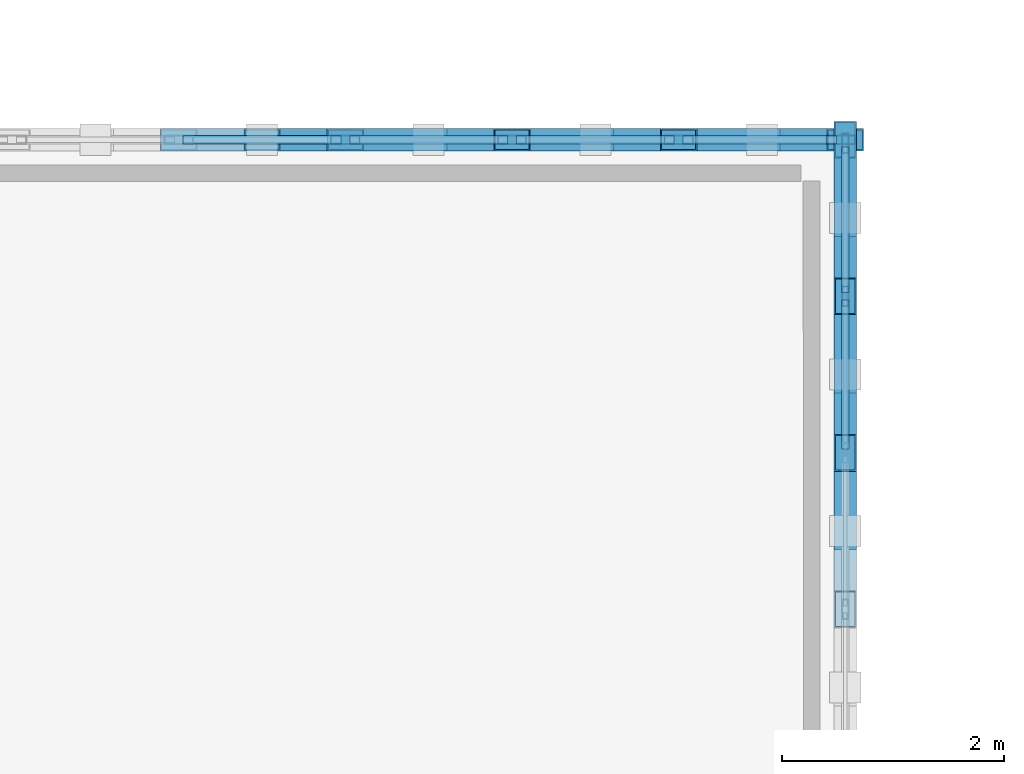
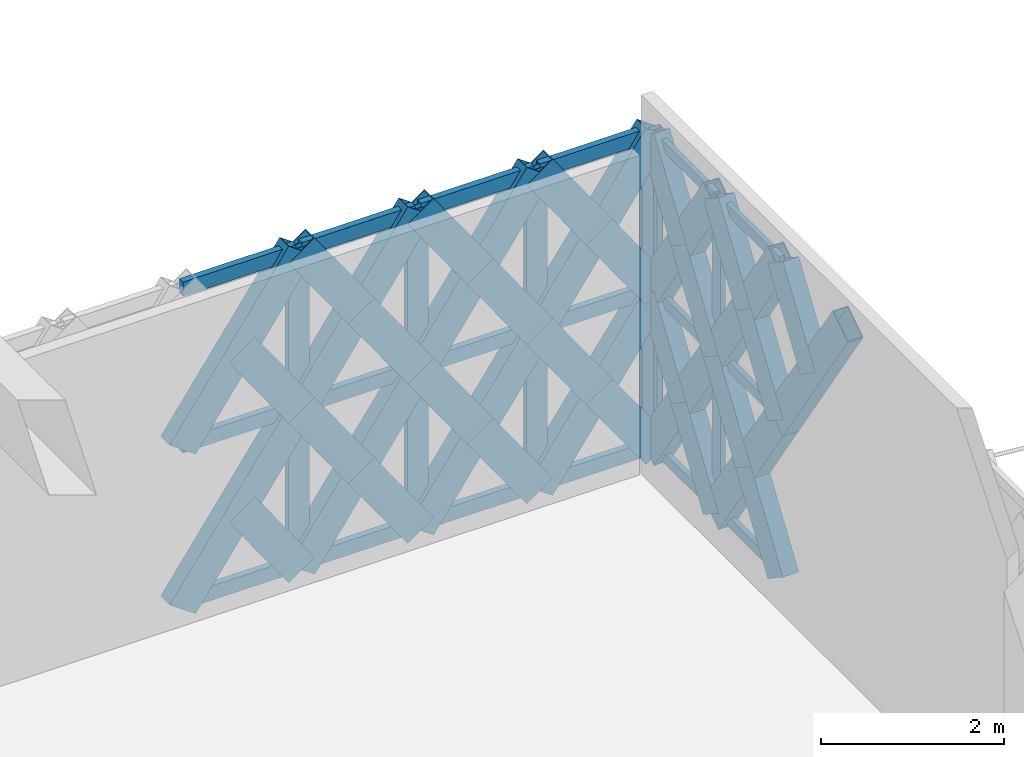
# One storey, part 75 of 140: 60 members, 2 elements without a shape of their own.
"""IFC4 building model written with IfcOpenShell, lengths in metres."""

from ifc_helpers import new_model, si_unit, direction, frame, origin, origin_2d, place, context, subcontext, project, spatial, hollow_rectangle, extrude, material, material_profile, profile_set, type_object, element, aggregate, save


model = new_model("IFC4")

# Units and contexts
model_context = context("Model", 3, precision=1e-05, world=origin(), true_north=direction((0.0, 1.0)))
body_context = subcontext(model_context, "Body", "Model", "MODEL_VIEW")
ifc_project = project(units=[si_unit("LENGTHUNIT", "METRE"), si_unit("AREAUNIT", "SQUARE_METRE"), si_unit("VOLUMEUNIT", "CUBIC_METRE"), si_unit("PLANEANGLEUNIT", "RADIAN"), si_unit("MASSUNIT", "GRAM", prefix="KILO")], contexts=[model_context])

# Site, building, storey
site_placement = place(None, origin())
site = spatial("IfcSite", under=ifc_project, at=site_placement, CompositionType="ELEMENT")
building_placement = place(site_placement, origin())
building = spatial("IfcBuilding", under=site, at=building_placement, Name="Haizhuo Lancet Aquarium", CompositionType="ELEMENT")
storey_placement = place(building_placement, origin())
storey = spatial("IfcBuildingStorey", under=building, at=storey_placement, Name="L00", CompositionType="ELEMENT", Elevation=0.0)

# Curtain wall, members
ifc_material_1 = material(Name="Aluminium 6063-T6", Category="aluminium")
curtain_wall_type_1 = type_object("IfcCurtainWallType", Name="CWD-8460x4200", PredefinedType="NOTDEFINED", material=ifc_material_1)
curtain_wall_1_placement = place(storey_placement, origin())
curtain_wall_1 = element("IfcCurtainWall", 1, at=curtain_wall_1_placement, inside=storey, type_object=curtain_wall_type_1, Name="L00 curtain wall CW-V5-L00-121", PredefinedType="NOTDEFINED")
ifc_material_profile_1 = material_profile(ifc_material_1, hollow_rectangle(XDim=0.06494140625, YDim=0.179931640625, WallThickness=0.00390625, at=origin_2d()), Name="ALU-M 65x180x4")
ifc_profile_set_1 = profile_set([ifc_material_profile_1], Name="Aluminium 6063-T6")
member_type_1 = type_object("IfcMemberType", Name="CW-MUL-1", PredefinedType="MULLION", material=ifc_profile_set_1)
member_1_placement = place(storey_placement, frame((27.0, 53.968017578125, 0.0), z_axis=(0.0, 0.0, 1.0), x_axis=(1.0, 0.0, 0.0)))
member_1 = element("IfcMember", 2, at=member_1_placement, type_object=member_type_1, Name="CWD-84x42 mullion 1", PredefinedType="MULLION", context=body_context, shape_type="SweptSolid", body=[
    extrude(hollow_rectangle(XDim=0.06494140625, YDim=0.179931640625, WallThickness=0.00390625, at=origin_2d()), origin(), (0.0, 0.0, 1.0), 4.205078125),
])
member_2_placement = place(storey_placement, frame((27.0, 52.591064453125, 0.0), z_axis=(0.0, 0.0, 1.0), x_axis=(1.0, 0.0, 0.0)))
member_2 = element("IfcMember", 3, at=member_2_placement, type_object=member_type_1, Name="CWD-84x42 mullion 2", PredefinedType="MULLION", context=body_context, shape_type="SweptSolid", body=[
    extrude(hollow_rectangle(XDim=0.06494140625, YDim=0.179931640625, WallThickness=0.00390625, at=origin_2d()), origin(), (0.0, 0.0, 1.0), 4.205078125),
])

curtain_wall_type_2 = type_object("IfcCurtainWallType", Name="CWD-9000x4260", PredefinedType="NOTDEFINED", material=ifc_material_1)
curtain_wall_2_placement = place(storey_placement, origin())
curtain_wall_2 = element("IfcCurtainWall", 4, at=curtain_wall_2_placement, inside=storey, type_object=curtain_wall_type_2, Name="L00 curtain wall CW-V5-L00-120", PredefinedType="NOTDEFINED")
ifc_material_profile_2 = material_profile(ifc_material_1, hollow_rectangle(XDim=0.080078125, YDim=0.260009765625, WallThickness=0.0048828125, at=origin_2d()), Name="ALU-M 80x260x5")
ifc_profile_set_2 = profile_set([ifc_material_profile_2], Name="Aluminium 6063-T6")
member_type_2 = type_object("IfcMemberType", Name="CW-MUL-3", PredefinedType="MULLION", material=ifc_profile_set_2)
member_3_placement = place(storey_placement, frame((22.5, 54.0, 0.0), z_axis=(0.0, 0.0, 1.0), x_axis=(0.0, 1.0, 0.0)))
member_3 = element("IfcMember", 5, at=member_3_placement, type_object=member_type_2, Name="CWD-90x42 mullion 4", PredefinedType="MULLION", context=body_context, shape_type="SweptSolid", body=[
    extrude(hollow_rectangle(XDim=0.080078125, YDim=0.260009765625, WallThickness=0.0048828125, at=origin_2d()), origin(), (0.0, 0.0, 1.0), 4.2548828125),
])
member_4_placement = place(storey_placement, frame((24.0, 54.0, 0.0), z_axis=(0.0, 0.0, 1.0), x_axis=(0.0, 1.0, 0.0)))
member_4 = element("IfcMember", 6, at=member_4_placement, type_object=member_type_2, Name="CWD-90x42 mullion 5", PredefinedType="MULLION", context=body_context, shape_type="SweptSolid", body=[
    extrude(hollow_rectangle(XDim=0.080078125, YDim=0.260009765625, WallThickness=0.0048828125, at=origin_2d()), origin(), (0.0, 0.0, 1.0), 4.2548828125),
])
member_5_placement = place(storey_placement, frame((25.5, 54.0, 0.0), z_axis=(0.0, 0.0, 1.0), x_axis=(0.0, 1.0, 0.0)))
member_5 = element("IfcMember", 7, at=member_5_placement, type_object=member_type_2, Name="CWD-90x42 mullion 6", PredefinedType="MULLION", context=body_context, shape_type="SweptSolid", body=[
    extrude(hollow_rectangle(XDim=0.080078125, YDim=0.260009765625, WallThickness=0.0048828125, at=origin_2d()), origin(), (0.0, 0.0, 1.0), 4.2548828125),
])
member_6_placement = place(storey_placement, frame((26.9599609375, 54.0, 0.0), z_axis=(0.0, 0.0, 1.0), x_axis=(0.0, 1.0, 0.0)))
member_6 = element("IfcMember", 8, at=member_6_placement, type_object=member_type_2, Name="CWD-90x42 mullion 7", PredefinedType="MULLION", context=body_context, shape_type="SweptSolid", body=[
    extrude(hollow_rectangle(XDim=0.080078125, YDim=0.260009765625, WallThickness=0.0048828125, at=origin_2d()), origin(), (0.0, 0.0, 1.0), 4.2548828125),
])

# Member
ifc_material_profile_3 = material_profile(ifc_material_1, hollow_rectangle(XDim=0.06494140625, YDim=0.139892578125, WallThickness=0.00390625, at=origin_2d()), Name="ALU-T 65x140x4")
ifc_profile_set_3 = profile_set([ifc_material_profile_3], Name="Aluminium 6063-T6")
member_type_3 = type_object("IfcMemberType", Name="CW-TRN-1", PredefinedType="NOTDEFINED", material=ifc_profile_set_3)
member_7_placement = place(storey_placement, frame((27.0, 53.93505859375, 0.032958984375), z_axis=(0.0, -1.0, 0.0), x_axis=(1.0, 0.0, 0.0)))
member_7 = element("IfcMember", 9, at=member_7_placement, type_object=member_type_3, Name="CWD-84x42 transom 1.1", ObjectType="TRANSOM", PredefinedType="USERDEFINED", context=body_context, shape_type="SweptSolid", body=[
    extrude(hollow_rectangle(XDim=0.06494140625, YDim=0.139892578125, WallThickness=0.00390625, at=origin_2d()), origin(), (0.0, 0.0, 1.0), 1.31201171875),
])

member_8_placement = place(storey_placement, frame((27.0, 53.93505859375, 2.10302734375), z_axis=(0.0, -1.0, 0.0), x_axis=(1.0, 0.0, 0.0)))
member_8 = element("IfcMember", 10, at=member_8_placement, type_object=member_type_3, Name="CWD-84x42 transom 1.2", ObjectType="TRANSOM", PredefinedType="USERDEFINED", context=body_context, shape_type="SweptSolid", body=[
    extrude(hollow_rectangle(XDim=0.06494140625, YDim=0.139892578125, WallThickness=0.00390625, at=origin_2d()), origin(), (0.0, 0.0, 1.0), 1.31201171875),
])

member_9_placement = place(storey_placement, frame((27.0, 53.93505859375, 4.173095703125), z_axis=(0.0, -1.0, 0.0), x_axis=(1.0, 0.0, 0.0)))
member_9 = element("IfcMember", 11, at=member_9_placement, type_object=member_type_3, Name="CWD-84x42 transom 1.3", ObjectType="TRANSOM", PredefinedType="USERDEFINED", context=body_context, shape_type="SweptSolid", body=[
    extrude(hollow_rectangle(XDim=0.06494140625, YDim=0.139892578125, WallThickness=0.00390625, at=origin_2d()), origin(), (0.0, 0.0, 1.0), 1.31201171875),
])

member_10_placement = place(storey_placement, frame((27.0, 52.55810546875, 0.032958984375), z_axis=(0.0, -1.0, 0.0), x_axis=(1.0, 0.0, 0.0)))
member_10 = element("IfcMember", 12, at=member_10_placement, type_object=member_type_3, Name="CWD-84x42 transom 2.1", ObjectType="TRANSOM", PredefinedType="USERDEFINED", context=body_context, shape_type="SweptSolid", body=[
    extrude(hollow_rectangle(XDim=0.06494140625, YDim=0.139892578125, WallThickness=0.00390625, at=origin_2d()), origin(), (0.0, 0.0, 1.0), 1.343994140625),
])

member_11_placement = place(storey_placement, frame((27.0, 52.55810546875, 2.10302734375), z_axis=(0.0, -1.0, 0.0), x_axis=(1.0, 0.0, 0.0)))
member_11 = element("IfcMember", 13, at=member_11_placement, type_object=member_type_3, Name="CWD-84x42 transom 2.2", ObjectType="TRANSOM", PredefinedType="USERDEFINED", context=body_context, shape_type="SweptSolid", body=[
    extrude(hollow_rectangle(XDim=0.06494140625, YDim=0.139892578125, WallThickness=0.00390625, at=origin_2d()), origin(), (0.0, 0.0, 1.0), 1.343994140625),
])

member_12_placement = place(storey_placement, frame((27.0, 52.55810546875, 4.173095703125), z_axis=(0.0, -1.0, 0.0), x_axis=(1.0, 0.0, 0.0)))
member_12 = element("IfcMember", 14, at=member_12_placement, type_object=member_type_3, Name="CWD-84x42 transom 2.3", ObjectType="TRANSOM", PredefinedType="USERDEFINED", context=body_context, shape_type="SweptSolid", body=[
    extrude(hollow_rectangle(XDim=0.06494140625, YDim=0.139892578125, WallThickness=0.00390625, at=origin_2d()), origin(), (0.0, 0.0, 1.0), 1.343994140625),
])

aggregate(curtain_wall_1, [member_1, member_2, member_7, member_8, member_9, member_10, member_11, member_12])

ifc_material_profile_4 = material_profile(ifc_material_1, hollow_rectangle(XDim=0.080078125, YDim=0.18994140625, WallThickness=0.0048828125, at=origin_2d()), Name="ALU-T 80x190x5")
ifc_profile_set_4 = profile_set([ifc_material_profile_4], Name="Aluminium 6063-T6")
member_type_4 = type_object("IfcMemberType", Name="CW-TRN-3", PredefinedType="NOTDEFINED", material=ifc_profile_set_4)
member_13_placement = place(storey_placement, frame((21.0400390625, 54.0, 0.0400390625), z_axis=(1.0, 0.0, 0.0), x_axis=(0.0, 1.0, 0.0)))
member_13 = element("IfcMember", 15, at=member_13_placement, type_object=member_type_4, Name="CWD-90x42 transom 3.1", ObjectType="TRANSOM", PredefinedType="USERDEFINED", context=body_context, shape_type="SweptSolid", body=[
    extrude(hollow_rectangle(XDim=0.080078125, YDim=0.18994140625, WallThickness=0.0048828125, at=origin_2d()), origin(), (0.0, 0.0, 1.0), 1.419921875),
])

member_14_placement = place(storey_placement, frame((21.0400390625, 54.0, 2.126953125), z_axis=(1.0, 0.0, 0.0), x_axis=(0.0, 1.0, 0.0)))
member_14 = element("IfcMember", 16, at=member_14_placement, type_object=member_type_4, Name="CWD-90x42 transom 3.2", ObjectType="TRANSOM", PredefinedType="USERDEFINED", context=body_context, shape_type="SweptSolid", body=[
    extrude(hollow_rectangle(XDim=0.080078125, YDim=0.18994140625, WallThickness=0.0048828125, at=origin_2d()), origin(), (0.0, 0.0, 1.0), 1.419921875),
])

member_15_placement = place(storey_placement, frame((21.0400390625, 54.0, 4.215087890625), z_axis=(1.0, 0.0, 0.0), x_axis=(0.0, 1.0, 0.0)))
member_15 = element("IfcMember", 17, at=member_15_placement, type_object=member_type_4, Name="CWD-90x42 transom 3.3", ObjectType="TRANSOM", PredefinedType="USERDEFINED", context=body_context, shape_type="SweptSolid", body=[
    extrude(hollow_rectangle(XDim=0.080078125, YDim=0.18994140625, WallThickness=0.0048828125, at=origin_2d()), origin(), (0.0, 0.0, 1.0), 1.419921875),
])

member_16_placement = place(storey_placement, frame((22.5400390625, 54.0, 0.0400390625), z_axis=(1.0, 0.0, 0.0), x_axis=(0.0, 1.0, 0.0)))
member_16 = element("IfcMember", 18, at=member_16_placement, type_object=member_type_4, Name="CWD-90x42 transom 4.1", ObjectType="TRANSOM", PredefinedType="USERDEFINED", context=body_context, shape_type="SweptSolid", body=[
    extrude(hollow_rectangle(XDim=0.080078125, YDim=0.18994140625, WallThickness=0.0048828125, at=origin_2d()), origin(), (0.0, 0.0, 1.0), 1.419921875),
])

member_17_placement = place(storey_placement, frame((22.5400390625, 54.0, 2.126953125), z_axis=(1.0, 0.0, 0.0), x_axis=(0.0, 1.0, 0.0)))
member_17 = element("IfcMember", 19, at=member_17_placement, type_object=member_type_4, Name="CWD-90x42 transom 4.2", ObjectType="TRANSOM", PredefinedType="USERDEFINED", context=body_context, shape_type="SweptSolid", body=[
    extrude(hollow_rectangle(XDim=0.080078125, YDim=0.18994140625, WallThickness=0.0048828125, at=origin_2d()), origin(), (0.0, 0.0, 1.0), 1.419921875),
])

member_18_placement = place(storey_placement, frame((22.5400390625, 54.0, 4.215087890625), z_axis=(1.0, 0.0, 0.0), x_axis=(0.0, 1.0, 0.0)))
member_18 = element("IfcMember", 20, at=member_18_placement, type_object=member_type_4, Name="CWD-90x42 transom 4.3", ObjectType="TRANSOM", PredefinedType="USERDEFINED", context=body_context, shape_type="SweptSolid", body=[
    extrude(hollow_rectangle(XDim=0.080078125, YDim=0.18994140625, WallThickness=0.0048828125, at=origin_2d()), origin(), (0.0, 0.0, 1.0), 1.419921875),
])

member_19_placement = place(storey_placement, frame((24.0400390625, 54.0, 0.0400390625), z_axis=(1.0, 0.0, 0.0), x_axis=(0.0, 1.0, 0.0)))
member_19 = element("IfcMember", 21, at=member_19_placement, type_object=member_type_4, Name="CWD-90x42 transom 5.1", ObjectType="TRANSOM", PredefinedType="USERDEFINED", context=body_context, shape_type="SweptSolid", body=[
    extrude(hollow_rectangle(XDim=0.080078125, YDim=0.18994140625, WallThickness=0.0048828125, at=origin_2d()), origin(), (0.0, 0.0, 1.0), 1.419921875),
])

member_20_placement = place(storey_placement, frame((24.0400390625, 54.0, 2.126953125), z_axis=(1.0, 0.0, 0.0), x_axis=(0.0, 1.0, 0.0)))
member_20 = element("IfcMember", 22, at=member_20_placement, type_object=member_type_4, Name="CWD-90x42 transom 5.2", ObjectType="TRANSOM", PredefinedType="USERDEFINED", context=body_context, shape_type="SweptSolid", body=[
    extrude(hollow_rectangle(XDim=0.080078125, YDim=0.18994140625, WallThickness=0.0048828125, at=origin_2d()), origin(), (0.0, 0.0, 1.0), 1.419921875),
])

member_21_placement = place(storey_placement, frame((24.0400390625, 54.0, 4.215087890625), z_axis=(1.0, 0.0, 0.0), x_axis=(0.0, 1.0, 0.0)))
member_21 = element("IfcMember", 23, at=member_21_placement, type_object=member_type_4, Name="CWD-90x42 transom 5.3", ObjectType="TRANSOM", PredefinedType="USERDEFINED", context=body_context, shape_type="SweptSolid", body=[
    extrude(hollow_rectangle(XDim=0.080078125, YDim=0.18994140625, WallThickness=0.0048828125, at=origin_2d()), origin(), (0.0, 0.0, 1.0), 1.419921875),
])

member_22_placement = place(storey_placement, frame((25.5400390625, 54.0, 0.0400390625), z_axis=(1.0, 0.0, 0.0), x_axis=(0.0, 1.0, 0.0)))
member_22 = element("IfcMember", 24, at=member_22_placement, type_object=member_type_4, Name="CWD-90x42 transom 6.1", ObjectType="TRANSOM", PredefinedType="USERDEFINED", context=body_context, shape_type="SweptSolid", body=[
    extrude(hollow_rectangle(XDim=0.080078125, YDim=0.18994140625, WallThickness=0.0048828125, at=origin_2d()), origin(), (0.0, 0.0, 1.0), 1.3798828125),
])

member_23_placement = place(storey_placement, frame((25.5400390625, 54.0, 2.126953125), z_axis=(1.0, 0.0, 0.0), x_axis=(0.0, 1.0, 0.0)))
member_23 = element("IfcMember", 25, at=member_23_placement, type_object=member_type_4, Name="CWD-90x42 transom 6.2", ObjectType="TRANSOM", PredefinedType="USERDEFINED", context=body_context, shape_type="SweptSolid", body=[
    extrude(hollow_rectangle(XDim=0.080078125, YDim=0.18994140625, WallThickness=0.0048828125, at=origin_2d()), origin(), (0.0, 0.0, 1.0), 1.3798828125),
])

member_24_placement = place(storey_placement, frame((25.5400390625, 54.0, 4.215087890625), z_axis=(1.0, 0.0, 0.0), x_axis=(0.0, 1.0, 0.0)))
member_24 = element("IfcMember", 26, at=member_24_placement, type_object=member_type_4, Name="CWD-90x42 transom 6.3", ObjectType="TRANSOM", PredefinedType="USERDEFINED", context=body_context, shape_type="SweptSolid", body=[
    extrude(hollow_rectangle(XDim=0.080078125, YDim=0.18994140625, WallThickness=0.0048828125, at=origin_2d()), origin(), (0.0, 0.0, 1.0), 1.3798828125),
])

aggregate(curtain_wall_2, [member_3, member_4, member_5, member_6, member_13, member_14, member_15, member_16, member_17, member_18, member_19, member_20, member_21, member_22, member_23, member_24])

# Members
ifc_material_2 = material(Name="Steel S355", Category="steel")
ifc_material_profile_5 = material_profile(ifc_material_2, hollow_rectangle(XDim=0.199951171875, YDim=0.39990234375, WallThickness=0.011962890625, at=origin_2d()), Name="RHS 200x400x12")
ifc_profile_set_5 = profile_set([ifc_material_profile_5], Name="Steel S355")
member_type_5 = type_object("IfcMemberType", Name="MEM-LB-RHS200x400", PredefinedType="BRACE", material=ifc_profile_set_5)
member_25_placement = place(storey_placement, frame((21.0, 54.0, 0.0), z_axis=(0.576329592678, 0.0, 0.817217352118), x_axis=(0.0, 1.0, 0.0)))
element("IfcMember", 27, at=member_25_placement, inside=storey, type_object=member_type_5, Name="Gothic lancet continuous diagonal brace CW-V5-L00-120 5A", PredefinedType="BRACE", context=body_context, shape_type="SweptSolid", body=[
    extrude(hollow_rectangle(XDim=0.199951171875, YDim=0.39990234375, WallThickness=0.011962890625, at=origin_2d()), origin(), (0.0, 0.0, 1.0), 2.602783203125),
])
member_26_placement = place(storey_placement, frame((22.5, 54.0, 0.0), z_axis=(-0.576506354413, 0.0, 0.817092665076), x_axis=(0.0, -1.0, 0.0)))
element("IfcMember", 28, at=member_26_placement, inside=storey, type_object=member_type_5, Name="Gothic lancet split diagonal brace CW-V5-L00-120 5B1", PredefinedType="BRACE", context=body_context, shape_type="SweptSolid", body=[
    extrude(hollow_rectangle(XDim=0.199951171875, YDim=0.39990234375, WallThickness=0.011962890625, at=origin_2d()), origin(), (0.0, 0.0, 1.0), 1.301025390625),
])
member_27_placement = place(storey_placement, frame((21.0, 54.0, 2.126953125), z_axis=(0.57615291237, 0.0, 0.817341924514), x_axis=(0.0, 1.0, 0.0)))
element("IfcMember", 29, at=member_27_placement, inside=storey, type_object=member_type_5, Name="Gothic lancet continuous diagonal brace CW-V5-L00-120 6A", PredefinedType="BRACE", context=body_context, shape_type="SweptSolid", body=[
    extrude(hollow_rectangle(XDim=0.199951171875, YDim=0.39990234375, WallThickness=0.011962890625, at=origin_2d()), origin(), (0.0, 0.0, 1.0), 2.603515625),
])
member_28_placement = place(storey_placement, frame((22.5, 54.0, 2.126953125), z_axis=(-0.57615291237, 0.0, 0.817341924514), x_axis=(0.0, -1.0, 0.0)))
element("IfcMember", 30, at=member_28_placement, inside=storey, type_object=member_type_5, Name="Gothic lancet split diagonal brace CW-V5-L00-120 6B1", PredefinedType="BRACE", context=body_context, shape_type="SweptSolid", body=[
    extrude(hollow_rectangle(XDim=0.199951171875, YDim=0.39990234375, WallThickness=0.011962890625, at=origin_2d()), origin(), (0.0, 0.0, 1.0), 1.3017578125),
])
member_29_placement = place(storey_placement, frame((22.5, 54.0, 0.0), z_axis=(0.576329592678, 0.0, 0.817217352118), x_axis=(0.0, 1.0, 0.0)))
element("IfcMember", 31, at=member_29_placement, inside=storey, type_object=member_type_5, Name="Gothic lancet continuous diagonal brace CW-V5-L00-120 7A", PredefinedType="BRACE", context=body_context, shape_type="SweptSolid", body=[
    extrude(hollow_rectangle(XDim=0.199951171875, YDim=0.39990234375, WallThickness=0.011962890625, at=origin_2d()), origin(), (0.0, 0.0, 1.0), 2.602783203125),
])
member_30_placement = place(storey_placement, frame((24.0, 54.0, 0.0), z_axis=(-0.576506354413, 0.0, 0.817092665076), x_axis=(0.0, -1.0, 0.0)))
element("IfcMember", 32, at=member_30_placement, inside=storey, type_object=member_type_5, Name="Gothic lancet split diagonal brace CW-V5-L00-120 7B1", PredefinedType="BRACE", context=body_context, shape_type="SweptSolid", body=[
    extrude(hollow_rectangle(XDim=0.199951171875, YDim=0.39990234375, WallThickness=0.011962890625, at=origin_2d()), origin(), (0.0, 0.0, 1.0), 1.301025390625),
])
member_31_placement = place(storey_placement, frame((23.25, 54.0, 1.06298828125), z_axis=(-0.57615291237, 0.0, 0.817341924514), x_axis=(0.0, -1.0, 0.0)))
element("IfcMember", 33, at=member_31_placement, inside=storey, type_object=member_type_5, Name="Gothic lancet split diagonal brace CW-V5-L00-120 7B2", PredefinedType="BRACE", context=body_context, shape_type="SweptSolid", body=[
    extrude(hollow_rectangle(XDim=0.199951171875, YDim=0.39990234375, WallThickness=0.011962890625, at=origin_2d()), origin(), (0.0, 0.0, 1.0), 1.3017578125),
])
member_32_placement = place(storey_placement, frame((22.5, 54.0, 2.126953125), z_axis=(0.57615291237, 0.0, 0.817341924514), x_axis=(0.0, 1.0, 0.0)))
element("IfcMember", 34, at=member_32_placement, inside=storey, type_object=member_type_5, Name="Gothic lancet continuous diagonal brace CW-V5-L00-120 8A", PredefinedType="BRACE", context=body_context, shape_type="SweptSolid", body=[
    extrude(hollow_rectangle(XDim=0.199951171875, YDim=0.39990234375, WallThickness=0.011962890625, at=origin_2d()), origin(), (0.0, 0.0, 1.0), 2.603515625),
])
for number, where, z_axis, x_axis, name in (
    (35, (24.0, 54.0, 2.126953125), (-0.57615291237, 0.0, 0.817341924514), (0.0, -1.0, 0.0), "Gothic lancet split diagonal brace CW-V5-L00-120 8B1"),
    (36, (23.25, 54.0, 3.19091796875), (-0.57615291237, 0.0, 0.817341924514), (0.0, -1.0, 0.0), "Gothic lancet split diagonal brace CW-V5-L00-120 8B2"),
):
    element("IfcMember", number, at=place(storey_placement, frame(where, z_axis=z_axis, x_axis=x_axis)), inside=storey, type_object=member_type_5, Name=name, PredefinedType="BRACE", context=body_context, shape_type="SweptSolid", body=[
        extrude(hollow_rectangle(XDim=0.199951171875, YDim=0.39990234375, WallThickness=0.011962890625, at=origin_2d()), origin(), (0.0, 0.0, 1.0), 1.3017578125),
    ])
member_33_placement = place(storey_placement, frame((24.0, 54.0, 0.0), z_axis=(0.576329592678, 0.0, 0.817217352118), x_axis=(0.0, 1.0, 0.0)))
element("IfcMember", 37, at=member_33_placement, inside=storey, type_object=member_type_5, Name="Gothic lancet continuous diagonal brace CW-V5-L00-120 9A", PredefinedType="BRACE", context=body_context, shape_type="SweptSolid", body=[
    extrude(hollow_rectangle(XDim=0.199951171875, YDim=0.39990234375, WallThickness=0.011962890625, at=origin_2d()), origin(), (0.0, 0.0, 1.0), 2.602783203125),
])
member_34_placement = place(storey_placement, frame((25.5, 54.0, 0.0), z_axis=(-0.576506354413, 0.0, 0.817092665076), x_axis=(0.0, -1.0, 0.0)))
element("IfcMember", 38, at=member_34_placement, inside=storey, type_object=member_type_5, Name="Gothic lancet split diagonal brace CW-V5-L00-120 9B1", PredefinedType="BRACE", context=body_context, shape_type="SweptSolid", body=[
    extrude(hollow_rectangle(XDim=0.199951171875, YDim=0.39990234375, WallThickness=0.011962890625, at=origin_2d()), origin(), (0.0, 0.0, 1.0), 1.301025390625),
])
member_35_placement = place(storey_placement, frame((24.75, 54.0, 1.06298828125), z_axis=(-0.57615291237, 0.0, 0.817341924514), x_axis=(0.0, -1.0, 0.0)))
element("IfcMember", 39, at=member_35_placement, inside=storey, type_object=member_type_5, Name="Gothic lancet split diagonal brace CW-V5-L00-120 9B2", PredefinedType="BRACE", context=body_context, shape_type="SweptSolid", body=[
    extrude(hollow_rectangle(XDim=0.199951171875, YDim=0.39990234375, WallThickness=0.011962890625, at=origin_2d()), origin(), (0.0, 0.0, 1.0), 1.3017578125),
])
member_36_placement = place(storey_placement, frame((24.0, 54.0, 2.126953125), z_axis=(0.57615291237, 0.0, 0.817341924514), x_axis=(0.0, 1.0, 0.0)))
element("IfcMember", 40, at=member_36_placement, inside=storey, type_object=member_type_5, Name="Gothic lancet continuous diagonal brace CW-V5-L00-120 10A", PredefinedType="BRACE", context=body_context, shape_type="SweptSolid", body=[
    extrude(hollow_rectangle(XDim=0.199951171875, YDim=0.39990234375, WallThickness=0.011962890625, at=origin_2d()), origin(), (0.0, 0.0, 1.0), 2.603515625),
])
for number, where, z_axis, x_axis, name in (
    (41, (25.5, 54.0, 2.126953125), (-0.57615291237, 0.0, 0.817341924514), (0.0, -1.0, 0.0), "Gothic lancet split diagonal brace CW-V5-L00-120 10B1"),
    (42, (24.75, 54.0, 3.19091796875), (-0.57615291237, 0.0, 0.817341924514), (0.0, -1.0, 0.0), "Gothic lancet split diagonal brace CW-V5-L00-120 10B2"),
):
    element("IfcMember", number, at=place(storey_placement, frame(where, z_axis=z_axis, x_axis=x_axis)), inside=storey, type_object=member_type_5, Name=name, PredefinedType="BRACE", context=body_context, shape_type="SweptSolid", body=[
        extrude(hollow_rectangle(XDim=0.199951171875, YDim=0.39990234375, WallThickness=0.011962890625, at=origin_2d()), origin(), (0.0, 0.0, 1.0), 1.3017578125),
    ])
member_37_placement = place(storey_placement, frame((25.5, 54.0, 0.0), z_axis=(0.576329592678, 0.0, 0.817217352118), x_axis=(0.0, 1.0, 0.0)))
element("IfcMember", 43, at=member_37_placement, inside=storey, type_object=member_type_5, Name="Gothic lancet continuous diagonal brace CW-V5-L00-120 11A", PredefinedType="BRACE", context=body_context, shape_type="SweptSolid", body=[
    extrude(hollow_rectangle(XDim=0.199951171875, YDim=0.39990234375, WallThickness=0.011962890625, at=origin_2d()), origin(), (0.0, 0.0, 1.0), 2.602783203125),
])
member_38_placement = place(storey_placement, frame((27.0, 54.0, 0.0), z_axis=(-0.576506354413, 0.0, 0.817092665076), x_axis=(0.0, -1.0, 0.0)))
element("IfcMember", 44, at=member_38_placement, inside=storey, type_object=member_type_5, Name="Gothic lancet split diagonal brace CW-V5-L00-120 11B1", PredefinedType="BRACE", context=body_context, shape_type="SweptSolid", body=[
    extrude(hollow_rectangle(XDim=0.199951171875, YDim=0.39990234375, WallThickness=0.011962890625, at=origin_2d()), origin(), (0.0, 0.0, 1.0), 1.301025390625),
])
member_39_placement = place(storey_placement, frame((26.25, 54.0, 1.06298828125), z_axis=(-0.57615291237, 0.0, 0.817341924514), x_axis=(0.0, -1.0, 0.0)))
element("IfcMember", 45, at=member_39_placement, inside=storey, type_object=member_type_5, Name="Gothic lancet split diagonal brace CW-V5-L00-120 11B2", PredefinedType="BRACE", context=body_context, shape_type="SweptSolid", body=[
    extrude(hollow_rectangle(XDim=0.199951171875, YDim=0.39990234375, WallThickness=0.011962890625, at=origin_2d()), origin(), (0.0, 0.0, 1.0), 1.3017578125),
])
member_40_placement = place(storey_placement, frame((25.5, 54.0, 2.126953125), z_axis=(0.57615291237, 0.0, 0.817341924514), x_axis=(0.0, 1.0, 0.0)))
element("IfcMember", 46, at=member_40_placement, inside=storey, type_object=member_type_5, Name="Gothic lancet continuous diagonal brace CW-V5-L00-120 12A", PredefinedType="BRACE", context=body_context, shape_type="SweptSolid", body=[
    extrude(hollow_rectangle(XDim=0.199951171875, YDim=0.39990234375, WallThickness=0.011962890625, at=origin_2d()), origin(), (0.0, 0.0, 1.0), 2.603515625),
])
for number, where, z_axis, x_axis, name in (
    (47, (27.0, 54.0, 2.126953125), (-0.57615291237, 0.0, 0.817341924514), (0.0, -1.0, 0.0), "Gothic lancet split diagonal brace CW-V5-L00-120 12B1"),
    (48, (26.25, 54.0, 3.19091796875), (-0.57615291237, 0.0, 0.817341924514), (0.0, -1.0, 0.0), "Gothic lancet split diagonal brace CW-V5-L00-120 12B2"),
):
    element("IfcMember", number, at=place(storey_placement, frame(where, z_axis=z_axis, x_axis=x_axis)), inside=storey, type_object=member_type_5, Name=name, PredefinedType="BRACE", context=body_context, shape_type="SweptSolid", body=[
        extrude(hollow_rectangle(XDim=0.199951171875, YDim=0.39990234375, WallThickness=0.011962890625, at=origin_2d()), origin(), (0.0, 0.0, 1.0), 1.3017578125),
    ])
member_41_placement = place(storey_placement, frame((27.0, 54.0, 0.0), z_axis=(0.0, -0.556590590257, 0.830786925052), x_axis=(1.0, 0.0, 0.0)))
element("IfcMember", 49, at=member_41_placement, inside=storey, type_object=member_type_5, Name="Gothic lancet continuous diagonal brace CW-V5-L00-121 1A", PredefinedType="BRACE", context=body_context, shape_type="SweptSolid", body=[
    extrude(hollow_rectangle(XDim=0.199951171875, YDim=0.39990234375, WallThickness=0.011962890625, at=origin_2d()), origin(), (0.0, 0.0, 1.0), 2.53125),
])
member_42_placement = place(storey_placement, frame((27.0, 52.591064453125, 0.0), z_axis=(0.0, 0.556611893252, 0.830772652589), x_axis=(-1.0, 0.0, 0.0)))
element("IfcMember", 50, at=member_42_placement, inside=storey, type_object=member_type_5, Name="Gothic lancet split diagonal brace CW-V5-L00-121 1B1", PredefinedType="BRACE", context=body_context, shape_type="SweptSolid", body=[
    extrude(hollow_rectangle(XDim=0.199951171875, YDim=0.39990234375, WallThickness=0.011962890625, at=origin_2d()), origin(), (0.0, 0.0, 1.0), 1.266357421875),
])
member_43_placement = place(storey_placement, frame((27.0, 53.2958984375, 1.052001953125), z_axis=(0.0, 0.556569266369, 0.83080121072), x_axis=(-1.0, 0.0, 0.0)))
element("IfcMember", 51, at=member_43_placement, inside=storey, type_object=member_type_5, Name="Gothic lancet split diagonal brace CW-V5-L00-121 1B2", PredefinedType="BRACE", context=body_context, shape_type="SweptSolid", body=[
    extrude(hollow_rectangle(XDim=0.199951171875, YDim=0.39990234375, WallThickness=0.011962890625, at=origin_2d()), origin(), (0.0, 0.0, 1.0), 1.26513671875),
])
member_44_placement = place(storey_placement, frame((27.0, 54.0, 2.10302734375), z_axis=(0.0, -0.556769024518, 0.830667354202), x_axis=(1.0, 0.0, 0.0)))
element("IfcMember", 52, at=member_44_placement, inside=storey, type_object=member_type_5, Name="Gothic lancet continuous diagonal brace CW-V5-L00-121 2A", PredefinedType="BRACE", context=body_context, shape_type="SweptSolid", body=[
    extrude(hollow_rectangle(XDim=0.199951171875, YDim=0.39990234375, WallThickness=0.011962890625, at=origin_2d()), origin(), (0.0, 0.0, 1.0), 2.530517578125),
])
member_45_placement = place(storey_placement, frame((27.0, 52.591064453125, 2.10302734375), z_axis=(0.0, 0.55696868612, 0.830533492812), x_axis=(-1.0, 0.0, 0.0)))
element("IfcMember", 53, at=member_45_placement, inside=storey, type_object=member_type_5, Name="Gothic lancet split diagonal brace CW-V5-L00-121 2B1", PredefinedType="BRACE", context=body_context, shape_type="SweptSolid", body=[
    extrude(hollow_rectangle(XDim=0.199951171875, YDim=0.39990234375, WallThickness=0.011962890625, at=origin_2d()), origin(), (0.0, 0.0, 1.0), 1.265380859375),
])
member_46_placement = place(storey_placement, frame((27.0, 53.2958984375, 3.154052734375), z_axis=(0.0, 0.556569266369, 0.83080121072), x_axis=(-1.0, 0.0, 0.0)))
element("IfcMember", 54, at=member_46_placement, inside=storey, type_object=member_type_5, Name="Gothic lancet split diagonal brace CW-V5-L00-121 2B2", PredefinedType="BRACE", context=body_context, shape_type="SweptSolid", body=[
    extrude(hollow_rectangle(XDim=0.199951171875, YDim=0.39990234375, WallThickness=0.011962890625, at=origin_2d()), origin(), (0.0, 0.0, 1.0), 1.26513671875),
])
member_47_placement = place(storey_placement, frame((27.0, 52.591064453125, 0.0), z_axis=(0.0, -0.55665715268, 0.830742327302), x_axis=(1.0, 0.0, 0.0)))
element("IfcMember", 55, at=member_47_placement, inside=storey, type_object=member_type_5, Name="Gothic lancet continuous diagonal brace CW-V5-L00-121 3A", PredefinedType="BRACE", context=body_context, shape_type="SweptSolid", body=[
    extrude(hollow_rectangle(XDim=0.199951171875, YDim=0.39990234375, WallThickness=0.011962890625, at=origin_2d()), origin(), (0.0, 0.0, 1.0), 2.531494140625),
])
member_48_placement = place(storey_placement, frame((27.0, 51.181884765625, 0.0), z_axis=(0.0, 0.556212499697, 0.831040104436), x_axis=(-1.0, 0.0, 0.0)))
element("IfcMember", 56, at=member_48_placement, inside=storey, type_object=member_type_5, Name="Gothic lancet split diagonal brace CW-V5-L00-121 3B1", PredefinedType="BRACE", context=body_context, shape_type="SweptSolid", body=[
    extrude(hollow_rectangle(XDim=0.199951171875, YDim=0.39990234375, WallThickness=0.011962890625, at=origin_2d()), origin(), (0.0, 0.0, 1.0), 1.265869140625),
])
member_49_placement = place(storey_placement, frame((27.0, 51.885986328125, 1.052001953125), z_axis=(0.0, 0.557101740231, 0.830444249201), x_axis=(-1.0, 0.0, 0.0)))
element("IfcMember", 57, at=member_49_placement, inside=storey, type_object=member_type_5, Name="Gothic lancet split diagonal brace CW-V5-L00-121 3B2", PredefinedType="BRACE", context=body_context, shape_type="SweptSolid", body=[
    extrude(hollow_rectangle(XDim=0.199951171875, YDim=0.39990234375, WallThickness=0.011962890625, at=origin_2d()), origin(), (0.0, 0.0, 1.0), 1.265625),
])
member_50_placement = place(storey_placement, frame((27.0, 52.591064453125, 2.10302734375), z_axis=(0.0, -0.556835589112, 0.830622734278), x_axis=(1.0, 0.0, 0.0)))
element("IfcMember", 58, at=member_50_placement, inside=storey, type_object=member_type_5, Name="Gothic lancet continuous diagonal brace CW-V5-L00-121 4A", PredefinedType="BRACE", context=body_context, shape_type="SweptSolid", body=[
    extrude(hollow_rectangle(XDim=0.199951171875, YDim=0.39990234375, WallThickness=0.011962890625, at=origin_2d()), origin(), (0.0, 0.0, 1.0), 2.53076171875),
])
member_51_placement = place(storey_placement, frame((27.0, 51.181884765625, 2.10302734375), z_axis=(0.0, 0.556569266369, 0.83080121072), x_axis=(-1.0, 0.0, 0.0)))
element("IfcMember", 59, at=member_51_placement, inside=storey, type_object=member_type_5, Name="Gothic lancet split diagonal brace CW-V5-L00-121 4B1", PredefinedType="BRACE", context=body_context, shape_type="SweptSolid", body=[
    extrude(hollow_rectangle(XDim=0.199951171875, YDim=0.39990234375, WallThickness=0.011962890625, at=origin_2d()), origin(), (0.0, 0.0, 1.0), 1.26513671875),
])
member_52_placement = place(storey_placement, frame((27.0, 51.885986328125, 3.154052734375), z_axis=(0.0, 0.557101740231, 0.830444249201), x_axis=(-1.0, 0.0, 0.0)))
element("IfcMember", 60, at=member_52_placement, inside=storey, type_object=member_type_5, Name="Gothic lancet split diagonal brace CW-V5-L00-121 4B2", PredefinedType="BRACE", context=body_context, shape_type="SweptSolid", body=[
    extrude(hollow_rectangle(XDim=0.199951171875, YDim=0.39990234375, WallThickness=0.011962890625, at=origin_2d()), origin(), (0.0, 0.0, 1.0), 1.265625),
])
member_53_placement = place(storey_placement, frame((27.0, 51.181884765625, 2.10302734375), z_axis=(0.0, -0.556769024518, 0.830667354202), x_axis=(1.0, 0.0, 0.0)))
element("IfcMember", 61, at=member_53_placement, inside=storey, type_object=member_type_5, Name="Gothic lancet continuous diagonal brace CW-V5-L00-121 6A", PredefinedType="BRACE", context=body_context, shape_type="SweptSolid", body=[
    extrude(hollow_rectangle(XDim=0.199951171875, YDim=0.39990234375, WallThickness=0.011962890625, at=origin_2d()), origin(), (0.0, 0.0, 1.0), 2.530517578125),
])
member_54_placement = place(storey_placement, frame((27.0, 50.47802734375, 3.154052734375), z_axis=(0.0, 0.556436040618, 0.830890445668), x_axis=(-1.0, 0.0, 0.0)))
element("IfcMember", 62, at=member_54_placement, inside=storey, type_object=member_type_5, Name="Gothic lancet split diagonal brace CW-V5-L00-121 6B2", PredefinedType="BRACE", context=body_context, shape_type="SweptSolid", body=[
    extrude(hollow_rectangle(XDim=0.199951171875, YDim=0.39990234375, WallThickness=0.011962890625, at=origin_2d()), origin(), (0.0, 0.0, 1.0), 1.264892578125),
])

save(model, "model.ifc")
